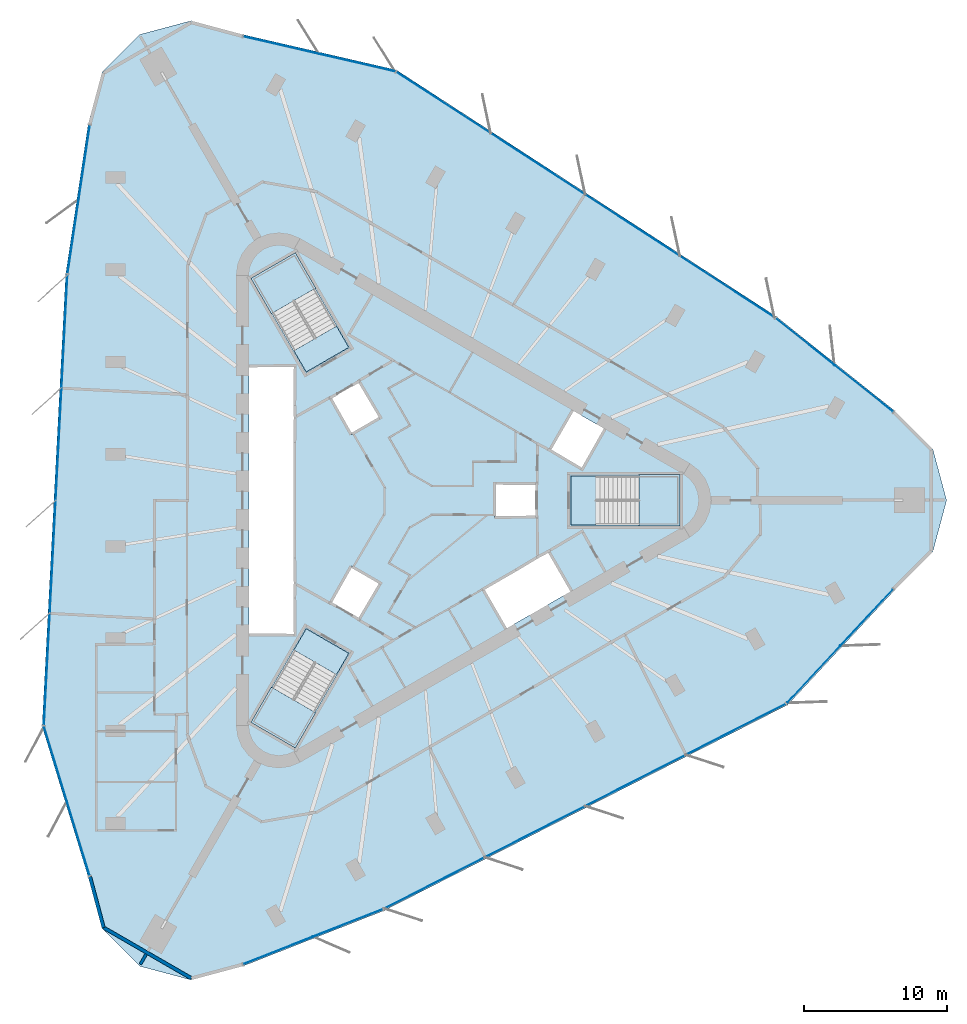
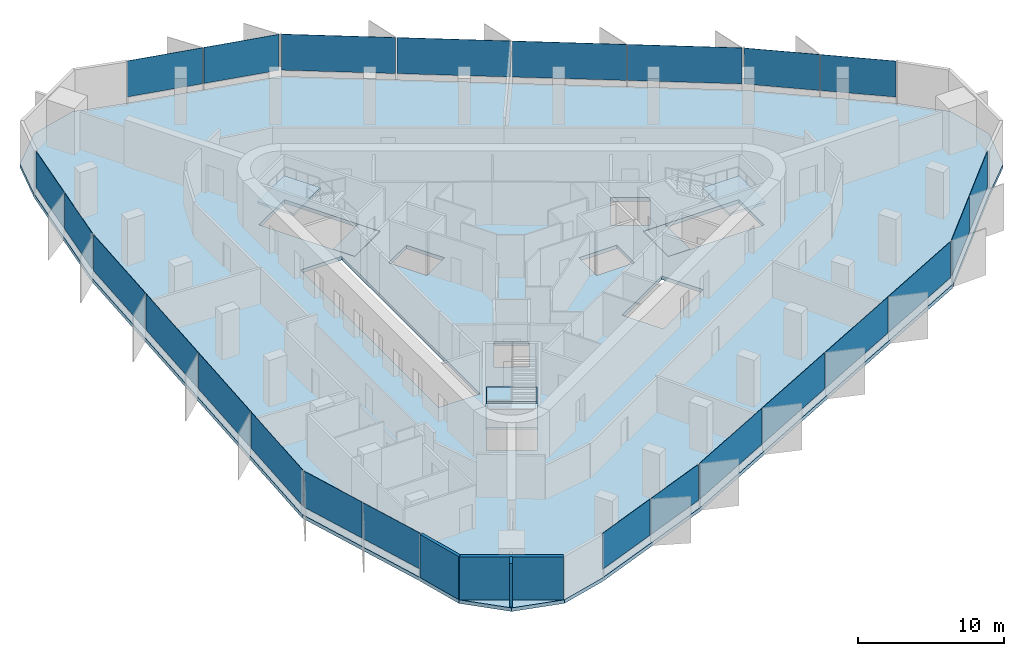
# One storey, part 7 of 13: 24 plates, 7 slabs, 3 walls, 12 elements without a shape of their own.
"""IFC4 building model written with IfcOpenShell, lengths in metres."""

import ifcopenshell
import ifcopenshell.guid

model = None  # the IFC model being written
_history = None  # IfcOwnerHistory: only IFC2X3 demands one
_inside = {}  # id of a spatial element -> (the spatial element, [elements in it])
_under = {}  # id of a project, library or spatial element -> (it, [spatial elements below it])
_declared = {}  # id of a project -> (the project, [libraries it declares])
_typed = {}  # id of a type object -> (the type object, [elements of that type])
_made_of = {}  # id of a material, layer set ... -> (it, [elements and type objects made of it])


def new_model(schema):
    """Start an empty IFC model of exactly this schema.

    Asked for "IFC4X3", IfcOpenShell would pick the latest addendum, in which some entities
    have other attributes; the version numbers below select the first issue.
    IFC2X3 requires an IfcOwnerHistory on every rooted entity: one is made here for all.
    """
    global model, _history
    if schema == "IFC4X3":
        model = ifcopenshell.file(schema_version=(4, 3, 0, 0))
    else:
        model = ifcopenshell.file(schema=schema)
    _inside.clear()
    _under.clear()
    _declared.clear()
    _typed.clear()
    _made_of.clear()
    _history = None
    if model.schema == "IFC2X3":
        org = make("IfcOrganization", Name="unknown")
        user = make(
            "IfcPersonAndOrganization",
            ThePerson=make("IfcPerson", FamilyName="unknown"),
            TheOrganization=org,
        )
        app = make(
            "IfcApplication",
            ApplicationDeveloper=org,
            Version="unknown",
            ApplicationFullName="unknown",
            ApplicationIdentifier="unknown",
        )
        _history = make(
            "IfcOwnerHistory",
            OwningUser=user,
            OwningApplication=app,
            ChangeAction="ADDED",
            CreationDate=0,
        )
    return model


def make(cls, **values):
    """One entity of the class cls with the attributes given. An attribute that is None is left unset."""
    return model.create_entity(
        cls, **{name: value for name, value in values.items() if value is not None}
    )


def rooted(cls, **values):
    """An entity with a GlobalId (a new one), such as an element, a storey or a relation."""
    return make(cls, GlobalId=ifcopenshell.guid.new(), OwnerHistory=_history, **values)


def si_unit(unit_type, name, prefix=None):
    """IfcSIUnit, for example si_unit("LENGTHUNIT", "METRE", prefix="MILLI")."""
    return make("IfcSIUnit", UnitType=unit_type, Prefix=prefix, Name=name)


def assignment(units):
    """IfcUnitAssignment: the units of a project."""
    return None if units is None else make("IfcUnitAssignment", Units=units)


def point(xyz):
    """IfcCartesianPoint."""
    return None if xyz is None else make("IfcCartesianPoint", Coordinates=xyz)


def direction(xyz):
    """IfcDirection."""
    return None if xyz is None else make("IfcDirection", DirectionRatios=xyz)


def frame(location, z_axis=None, x_axis=None):
    """IfcAxis2Placement3D, a coordinate frame: its origin and axes. An axis left out is left unset."""
    return make(
        "IfcAxis2Placement3D",
        Location=point(location),
        Axis=direction(z_axis),
        RefDirection=direction(x_axis),
    )


def frame_2d(location, x_axis=None):
    """IfcAxis2Placement2D, a coordinate frame in the plane: its origin and x axis."""
    return make(
        "IfcAxis2Placement2D", Location=point(location), RefDirection=direction(x_axis)
    )


def origin():
    """The frame at (0, 0, 0) with its axes left unset."""
    return frame((0.0, 0.0, 0.0))


def origin_2d():
    """The frame at (0, 0) in the plane with its x axis left unset."""
    return frame_2d((0.0, 0.0))


def place(relative_to, where):
    """IfcLocalPlacement: puts the frame where relative to a parent placement (None: the world)."""
    return make(
        "IfcLocalPlacement", PlacementRelTo=relative_to, RelativePlacement=where
    )


def context(
    kind, dimensions, precision=None, world=None, true_north=None, identifier=None
):
    """IfcGeometricRepresentationContext, for example the 3D "Model" context."""
    return make(
        "IfcGeometricRepresentationContext",
        ContextIdentifier=identifier,
        ContextType=kind,
        CoordinateSpaceDimension=dimensions,
        Precision=precision,
        WorldCoordinateSystem=world,
        TrueNorth=true_north,
    )


def subcontext(parent, identifier, kind, view, scale=None):
    """IfcGeometricRepresentationSubContext, for example "Body" below "Model"."""
    return make(
        "IfcGeometricRepresentationSubContext",
        ContextIdentifier=identifier,
        ContextType=kind,
        ParentContext=parent,
        TargetScale=scale,
        TargetView=view,
    )


def project(units=None, contexts=None):
    """IfcProject with its units and contexts."""
    return rooted(
        "IfcProject",
        Name="project",
        RepresentationContexts=contexts,
        UnitsInContext=assignment(units),
    )


def spatial(cls, under=None, at=None, **own):
    """A site, building, storey or space (cls), placed at a placement, below another one or the project."""
    s = rooted(cls, ObjectPlacement=at, **own)
    if under is not None:
        _under.setdefault(under.id(), (under, []))[1].append(s)
    return s


def polyline(points):
    """IfcPolyline through the points."""
    return make("IfcPolyline", Points=[point(p) for p in points])


def profile(cls, at=None, kind="AREA", **sizes):
    """A parametric profile (cls). Its sizes go by their IFC names, for example OverallWidth=200.0."""
    return make(cls, ProfileType=kind, Position=at, **sizes)


def rectangle(**sizes):
    """IfcRectangleProfileDef."""
    return profile("IfcRectangleProfileDef", **sizes)


def outline(outer, holes=None, kind="AREA"):
    """IfcArbitraryClosedProfileDef: a profile drawn as a closed curve; with holes, ...WithVoids."""
    if holes is None:
        return make("IfcArbitraryClosedProfileDef", ProfileType=kind, OuterCurve=outer)
    return make(
        "IfcArbitraryProfileDefWithVoids",
        ProfileType=kind,
        OuterCurve=outer,
        InnerCurves=holes,
    )


def extrude(swept, where, along, depth):
    """IfcExtrudedAreaSolid: the profile swept, set in the frame where, extruded along a direction by depth."""
    return make(
        "IfcExtrudedAreaSolid",
        SweptArea=swept,
        Position=where,
        ExtrudedDirection=direction(along),
        Depth=depth,
    )


def shape(context_of_items, identifier, shape_type, items):
    """IfcShapeRepresentation: the items that make up one representation, for example the "Body"."""
    return make(
        "IfcShapeRepresentation",
        ContextOfItems=context_of_items,
        RepresentationIdentifier=identifier,
        RepresentationType=shape_type,
        Items=items,
    )


def material(Name=None, Category=None):
    """IfcMaterial."""
    return make("IfcMaterial", Name=Name, Category=Category)


def layer(
    of_material, thickness, ventilated=None, Name=None, Category=None, Priority=None
):
    """IfcMaterialLayer: one layer of a wall or slab, of a material (None: an air gap)."""
    return make(
        "IfcMaterialLayer",
        Material=of_material,
        LayerThickness=thickness,
        IsVentilated=ventilated,
        Name=Name,
        Category=Category,
        Priority=Priority,
    )


def layer_set(layers, Name=None):
    """IfcMaterialLayerSet."""
    return make("IfcMaterialLayerSet", MaterialLayers=layers, LayerSetName=Name)


def made_of(thing, what):
    """Note that an element or type object is made of a material, layer set ...; save() writes the relation."""
    if what is not None:
        _made_of.setdefault(what.id(), (what, []))[1].append(thing)
    return thing


def type_object(cls, material=None, **own):
    """A type object (cls), such as IfcWallType, which elements share."""
    return made_of(rooted(cls, **own), material)


def element(
    cls,
    number,
    at=None,
    inside=None,
    cuts=None,
    type_object=None,
    material=None,
    context=None,
    identifier="Body",
    shape_type=None,
    held_by="IfcProductDefinitionShape",
    body=None,
    shapes=None,
    **own,
):
    """One element of the class cls, such as IfcWall. Its Tag is "e" and its number.

    at: its placement. inside: the storey or other place that contains it. cuts: it is an
    opening in that element (IfcRelVoidsElement). A single representation is given by context,
    identifier, shape_type and body (its items); several are given by shapes. held_by: the class
    of the entity that holds the representations. save() writes the other relations.
    """
    e = rooted(cls, Tag="e%d" % number, ObjectPlacement=at, **own)
    if body is not None:
        shapes = [shape(context, identifier, shape_type, body)]
    if shapes is not None:
        e.Representation = make(held_by, Representations=shapes)
    if inside is not None:
        _inside.setdefault(inside.id(), (inside, []))[1].append(e)
    if cuts is not None:
        rooted(
            "IfcRelVoidsElement", RelatingBuildingElement=cuts, RelatedOpeningElement=e
        )
    if type_object is not None:
        _typed.setdefault(type_object.id(), (type_object, []))[1].append(e)
    return made_of(e, material)


def aggregate(whole, parts):
    """IfcRelAggregates: a whole, such as a stair, and the parts it consists of."""
    return rooted("IfcRelAggregates", RelatingObject=whole, RelatedObjects=parts)


def save(model, path):
    """Write the relations noted so far, then the file.

    IfcRelAggregates (storeys below a building ...), IfcRelContainedInSpatialStructure (elements
    in a storey), IfcRelDefinesByType, IfcRelAssociatesMaterial and IfcRelDeclares: one each for
    every whole, place, type object, material and project.
    """
    for whole, parts in _under.values():
        aggregate(whole, parts)
    for where, things in _inside.values():
        rooted(
            "IfcRelContainedInSpatialStructure",
            RelatedElements=things,
            RelatingStructure=where,
        )
    for kind, things in _typed.values():
        rooted("IfcRelDefinesByType", RelatedObjects=things, RelatingType=kind)
    for what, things in _made_of.values():
        rooted("IfcRelAssociatesMaterial", RelatedObjects=things, RelatingMaterial=what)
    for by, libraries in _declared.values():
        rooted("IfcRelDeclares", RelatingContext=by, RelatedDefinitions=libraries)
    model.write(path)


model = new_model("IFC4")

# Units and contexts
model_context = context("Model", 3, precision=1e-05, world=origin(), true_north=direction((0.0, 1.0)))
body_context = subcontext(model_context, "Body", "Model", "MODEL_VIEW")
ifc_project = project(units=[si_unit("LENGTHUNIT", "METRE"), si_unit("AREAUNIT", "SQUARE_METRE"), si_unit("VOLUMEUNIT", "CUBIC_METRE"), si_unit("PLANEANGLEUNIT", "RADIAN"), si_unit("MASSUNIT", "GRAM", prefix="KILO")], contexts=[model_context])

# Site, building, storey
site_placement = place(None, origin())
site = spatial("IfcSite", under=ifc_project, at=site_placement, CompositionType="ELEMENT")
building_placement = place(site_placement, origin())
building = spatial("IfcBuilding", under=site, at=building_placement, Name="Tanit Gate Tower", CompositionType="ELEMENT")
storey_placement = place(building_placement, frame((0.0, 0.0, 310.39990234375)))
storey = spatial("IfcBuildingStorey", under=building, at=storey_placement, Name="L69", CompositionType="ELEMENT", Elevation=310.39990234375)

# Slab
ifc_material_1 = material(Name="Concrete C35/45", Category="concrete")
ifc_layer_1 = layer(ifc_material_1, 0.300048828125)
ifc_layer_set_1 = layer_set([ifc_layer_1], Name="FLOOR SLAB 300 C35/45")
slab_type_1 = type_object("IfcSlabType", Name="FLOOR SLAB 300 C35/45", PredefinedType="FLOOR", material=ifc_layer_set_1)
slab_1_placement = place(storey_placement, frame((0.0, 0.0, -0.2998046875)))
element("IfcSlab", 1, at=slab_1_placement, inside=storey, type_object=slab_type_1, Name="FLOOR SLAB L69", PredefinedType="FLOOR", context=body_context, shape_type="SweptSolid", body=[
    extrude(outline(polyline([(34.07470703125, 6.24951171875), (36.716064453125, 3.608154296875), (37.682861328125, 0.0), (36.716064453125, -3.608154296875), (34.07470703125, -6.24951171875), (26.550048828125, -14.32421875), (-1.6943359375, -28.727294921875), (-11.625244140625, -32.63427734375), (-15.2333984375, -33.60107421875), (-18.84130859375, -32.63427734375), (-21.48291015625, -29.992919921875), (-22.44970703125, -26.385009765625), (-25.68017578125, -15.830810546875), (-24.031494140625, 15.830810546875), (-22.44970703125, 26.385009765625), (-21.48291015625, 29.992919921875), (-18.84130859375, 32.63427734375), (-15.2333984375, 33.60107421875), (-11.625244140625, 32.63427734375), (-0.869873046875, 30.1552734375), (25.7255859375, 12.896484375), (34.07470703125, 6.24951171875)]), holes=[polyline([(11.3701171875, 1.72998046875), (18.929931640625, 1.72998046875), (18.929931640625, -1.72998046875), (11.3701171875, -1.72998046875), (11.3701171875, 1.72998046875)]), polyline([(12.158935546875, 2.159912109375), (9.82080078125, 3.510009765625), (11.44580078125, 6.324462890625), (13.783935546875, 4.974609375), (12.158935546875, 2.159912109375)]), polyline([(11.44580078125, -6.324462890625), (6.76904296875, -9.0244140625), (5.14404296875, -6.2099609375), (9.82080078125, -3.510009765625), (11.44580078125, -6.324462890625)]), polyline([(6.0, 1.199951171875), (9.0, 1.199951171875), (9.0, -1.199951171875), (6.0, -1.199951171875), (6.0, 1.199951171875)]), polyline([(-4.039306640625, 4.59619140625), (-5.539306640625, 7.194091796875), (-3.460693359375, 8.394287109375), (-1.960693359375, 5.796142578125), (-4.039306640625, 4.59619140625)]), polyline([(-1.960693359375, -5.796142578125), (-3.460693359375, -8.394287109375), (-5.539306640625, -7.194091796875), (-4.039306640625, -4.59619140625), (-1.960693359375, -5.796142578125)]), polyline([(-7.18310546875, 8.981689453125), (-10.963134765625, 15.52880859375), (-7.966796875, 17.2587890625), (-4.186767578125, 10.711669921875), (-7.18310546875, 8.981689453125)]), polyline([(-4.186767578125, -10.711669921875), (-7.966796875, -17.2587890625), (-10.963134765625, -15.52880859375), (-7.18310546875, -8.981689453125), (-4.186767578125, -10.711669921875)]), polyline([(-11.199951171875, -9.449951171875), (-11.199951171875, 9.449951171875), (-7.949951171875, 9.449951171875), (-7.949951171875, -9.449951171875), (-11.199951171875, -9.449951171875)])]), origin(), (0.0, 0.0, 1.0), 0.2998046875),
])

# Curtain wall, plates
ifc_material_2 = material(Name="Aluminium bronze anodised and glass", Category="aluminium")
curtain_wall_type = type_object("IfcCurtainWallType", Name="Curtain wall typical high", PredefinedType="NOTDEFINED", material=ifc_material_2)
curtain_wall_1_placement = place(storey_placement, origin())
curtain_wall_1 = element("IfcCurtainWall", 2, at=curtain_wall_1_placement, inside=storey, type_object=curtain_wall_type, Name="Curtain wall L69 NE1", PredefinedType="NOTDEFINED")
ifc_material_3 = material(Name="Glass tinted", Category="glass")
ifc_layer_2 = layer(ifc_material_3, 0.028076171875)
ifc_layer_set_2 = layer_set([ifc_layer_2], Name="Glass panel 28 typical high")
plate_type = type_object("IfcPlateType", Name="Glass panel 28 typical high", PredefinedType="CURTAIN_PANEL", material=ifc_layer_set_2)
plate_1_placement = place(storey_placement, frame((31.894287109375, 7.83203125, 0.60009765625), z_axis=(0.0, 0.0, 1.0), x_axis=(-0.782343945966, 0.622846650637, 0.0)))
plate_1 = element("IfcPlate", 3, at=plate_1_placement, type_object=plate_type, Name="Glass panel L69 NE1.1", PredefinedType="CURTAIN_PANEL", context=body_context, shape_type="SweptSolid", body=[
    extrude(rectangle(XDim=5.209716796875, YDim=0.028076171875, at=origin_2d()), origin(), (0.0, 0.0, 1.0), 3.0),
])
plate_2_placement = place(storey_placement, frame((27.755859375, 11.126708984375, 0.60009765625), z_axis=(0.0, 0.0, 1.0), x_axis=(-0.782343945966, 0.622846650637, 0.0)))
plate_2 = element("IfcPlate", 4, at=plate_2_placement, type_object=plate_type, Name="Glass panel L69 NE1.2", PredefinedType="CURTAIN_PANEL", context=body_context, shape_type="SweptSolid", body=[
    extrude(rectangle(XDim=5.209716796875, YDim=0.028076171875, at=origin_2d()), origin(), (0.0, 0.0, 1.0), 3.0),
])
aggregate(curtain_wall_1, [plate_1, plate_2])

curtain_wall_2_placement = place(storey_placement, origin())
curtain_wall_2 = element("IfcCurtainWall", 5, at=curtain_wall_2_placement, inside=storey, type_object=curtain_wall_type, Name="Curtain wall L69 NE2", PredefinedType="NOTDEFINED")
plate_3_placement = place(storey_placement, frame((22.30859375, 14.970703125, 0.60009765625), z_axis=(0.0, 0.0, 1.0), x_axis=(-0.838852134807, 0.544359344487, 0.0)))
plate_3 = element("IfcPlate", 6, at=plate_3_placement, type_object=plate_type, Name="Glass panel L69 NE2.1", PredefinedType="CURTAIN_PANEL", context=body_context, shape_type="SweptSolid", body=[
    extrude(rectangle(XDim=7.819580078125, YDim=0.028076171875, at=origin_2d()), origin(), (0.0, 0.0, 1.0), 3.0),
])
plate_4_placement = place(storey_placement, frame((15.68212890625, 19.270751953125, 0.60009765625), z_axis=(0.0, 0.0, 1.0), x_axis=(-0.838852134807, 0.544359344487, 0.0)))
plate_4 = element("IfcPlate", 7, at=plate_4_placement, type_object=plate_type, Name="Glass panel L69 NE2.2", PredefinedType="CURTAIN_PANEL", context=body_context, shape_type="SweptSolid", body=[
    extrude(rectangle(XDim=7.8193359375, YDim=0.028076171875, at=origin_2d()), origin(), (0.0, 0.0, 1.0), 3.0),
])
plate_5_placement = place(storey_placement, frame((9.0556640625, 23.571044921875, 0.60009765625), z_axis=(0.0, 0.0, 1.0), x_axis=(-0.838852134807, 0.544359344487, 0.0)))
plate_5 = element("IfcPlate", 8, at=plate_5_placement, type_object=plate_type, Name="Glass panel L69 NE2.3", PredefinedType="CURTAIN_PANEL", context=body_context, shape_type="SweptSolid", body=[
    extrude(rectangle(XDim=7.819580078125, YDim=0.028076171875, at=origin_2d()), origin(), (0.0, 0.0, 1.0), 3.0),
])
plate_6_placement = place(storey_placement, frame((2.42919921875, 27.87109375, 0.60009765625), z_axis=(0.0, 0.0, 1.0), x_axis=(-0.838852134807, 0.544359344487, 0.0)))
plate_6 = element("IfcPlate", 9, at=plate_6_placement, type_object=plate_type, Name="Glass panel L69 NE2.4", PredefinedType="CURTAIN_PANEL", context=body_context, shape_type="SweptSolid", body=[
    extrude(rectangle(XDim=7.8193359375, YDim=0.028076171875, at=origin_2d()), origin(), (0.0, 0.0, 1.0), 3.0),
])
aggregate(curtain_wall_2, [plate_3, plate_4, plate_5, plate_6])

curtain_wall_3_placement = place(storey_placement, origin())
curtain_wall_3 = element("IfcCurtainWall", 10, at=curtain_wall_3_placement, inside=storey, type_object=curtain_wall_type, Name="Curtain wall L69 NE3", PredefinedType="NOTDEFINED")
plate_7_placement = place(storey_placement, frame((-3.62109375, 30.666259765625, 0.60009765625), z_axis=(0.0, 0.0, 1.0), x_axis=(-0.974447016701, 0.224617478487, 0.0)))
plate_7 = element("IfcPlate", 11, at=plate_7_placement, type_object=plate_type, Name="Glass panel L69 NE3.1", PredefinedType="CURTAIN_PANEL", context=body_context, shape_type="SweptSolid", body=[
    extrude(rectangle(XDim=5.38916015625, YDim=0.028076171875, at=origin_2d()), origin(), (0.0, 0.0, 1.0), 3.0),
])
plate_8_placement = place(storey_placement, frame((-8.95068359375, 31.894775390625, 0.60009765625), z_axis=(0.0, 0.0, 1.0), x_axis=(-0.974447016701, 0.224617478487, 0.0)))
plate_8 = element("IfcPlate", 12, at=plate_8_placement, type_object=plate_type, Name="Glass panel L69 NE3.2", PredefinedType="CURTAIN_PANEL", context=body_context, shape_type="SweptSolid", body=[
    extrude(rectangle(XDim=5.38916015625, YDim=0.028076171875, at=origin_2d()), origin(), (0.0, 0.0, 1.0), 3.0),
])
aggregate(curtain_wall_3, [plate_7, plate_8])

curtain_wall_4_placement = place(storey_placement, origin())
curtain_wall_4 = element("IfcCurtainWall", 13, at=curtain_wall_4_placement, inside=storey, type_object=curtain_wall_type, Name="Curtain wall L69 W1", PredefinedType="NOTDEFINED")
plate_9_placement = place(storey_placement, frame((-22.729736328125, 23.705322265625, 0.60009765625), z_axis=(0.0, 0.0, 1.0), x_axis=(-0.148229049131, -0.988953057022, 0.0)))
plate_9 = element("IfcPlate", 14, at=plate_9_placement, type_object=plate_type, Name="Glass panel L69 W1.1", PredefinedType="CURTAIN_PANEL", context=body_context, shape_type="SweptSolid", body=[
    extrude(rectangle(XDim=5.209716796875, YDim=0.028076171875, at=origin_2d()), origin(), (0.0, 0.0, 1.0), 3.0),
])
plate_10_placement = place(storey_placement, frame((-23.513916015625, 18.47412109375, 0.60009765625), z_axis=(0.0, 0.0, 1.0), x_axis=(-0.148229049131, -0.988953057022, 0.0)))
plate_10 = element("IfcPlate", 15, at=plate_10_placement, type_object=plate_type, Name="Glass panel L69 W1.2", PredefinedType="CURTAIN_PANEL", context=body_context, shape_type="SweptSolid", body=[
    extrude(rectangle(XDim=5.209716796875, YDim=0.028076171875, at=origin_2d()), origin(), (0.0, 0.0, 1.0), 3.0),
])
aggregate(curtain_wall_4, [plate_9, plate_10])

curtain_wall_5_placement = place(storey_placement, origin())
curtain_wall_5 = element("IfcCurtainWall", 16, at=curtain_wall_5_placement, inside=storey, type_object=curtain_wall_type, Name="Curtain wall L69 W2", PredefinedType="NOTDEFINED")
plate_11_placement = place(storey_placement, frame((-24.119384765625, 11.83447265625, 0.60009765625), z_axis=(0.0, 0.0, 1.0), x_axis=(-0.05200295371, -0.998646931005, 0.0)))
plate_11 = element("IfcPlate", 17, at=plate_11_placement, type_object=plate_type, Name="Glass panel L69 W2.1", PredefinedType="CURTAIN_PANEL", context=body_context, shape_type="SweptSolid", body=[
    extrude(rectangle(XDim=7.819580078125, YDim=0.028076171875, at=origin_2d()), origin(), (0.0, 0.0, 1.0), 3.0),
])
plate_12_placement = place(storey_placement, frame((-24.5302734375, 3.94580078125, 0.60009765625), z_axis=(0.0, 0.0, 1.0), x_axis=(-0.05200295371, -0.998646931005, 0.0)))
plate_12 = element("IfcPlate", 18, at=plate_12_placement, type_object=plate_type, Name="Glass panel L69 W2.2", PredefinedType="CURTAIN_PANEL", context=body_context, shape_type="SweptSolid", body=[
    extrude(rectangle(XDim=7.8193359375, YDim=0.028076171875, at=origin_2d()), origin(), (0.0, 0.0, 1.0), 3.0),
])
plate_13_placement = place(storey_placement, frame((-24.94091796875, -3.94287109375, 0.60009765625), z_axis=(0.0, 0.0, 1.0), x_axis=(-0.05200295371, -0.998646931005, 0.0)))
plate_13 = element("IfcPlate", 19, at=plate_13_placement, type_object=plate_type, Name="Glass panel L69 W2.3", PredefinedType="CURTAIN_PANEL", context=body_context, shape_type="SweptSolid", body=[
    extrude(rectangle(XDim=7.819580078125, YDim=0.028076171875, at=origin_2d()), origin(), (0.0, 0.0, 1.0), 3.0),
])
plate_14_placement = place(storey_placement, frame((-25.351806640625, -11.831787109375, 0.60009765625), z_axis=(0.0, 0.0, 1.0), x_axis=(-0.05200295371, -0.998646931005, 0.0)))
plate_14 = element("IfcPlate", 20, at=plate_14_placement, type_object=plate_type, Name="Glass panel L69 W2.4", PredefinedType="CURTAIN_PANEL", context=body_context, shape_type="SweptSolid", body=[
    extrude(rectangle(XDim=7.8193359375, YDim=0.028076171875, at=origin_2d()), origin(), (0.0, 0.0, 1.0), 3.0),
])
aggregate(curtain_wall_5, [plate_11, plate_12, plate_13, plate_14])

curtain_wall_6_placement = place(storey_placement, origin())
curtain_wall_6 = element("IfcCurtainWall", 21, at=curtain_wall_6_placement, inside=storey, type_object=curtain_wall_type, Name="Curtain wall L69 W3", PredefinedType="NOTDEFINED")
plate_15_placement = place(storey_placement, frame((-24.7470703125, -18.46923828125, 0.60009765625), z_axis=(0.0, 0.0, 1.0), x_axis=(0.292699065847, -0.956204610349, 0.0)))
plate_15 = element("IfcPlate", 22, at=plate_15_placement, type_object=plate_type, Name="Glass panel L69 W3.1", PredefinedType="CURTAIN_PANEL", context=body_context, shape_type="SweptSolid", body=[
    extrude(rectangle(XDim=5.38916015625, YDim=0.028076171875, at=origin_2d()), origin(), (0.0, 0.0, 1.0), 3.0),
])
plate_16_placement = place(storey_placement, frame((-23.146240234375, -23.69873046875, 0.60009765625), z_axis=(0.0, 0.0, 1.0), x_axis=(0.292699065847, -0.956204610349, 0.0)))
plate_16 = element("IfcPlate", 23, at=plate_16_placement, type_object=plate_type, Name="Glass panel L69 W3.2", PredefinedType="CURTAIN_PANEL", context=body_context, shape_type="SweptSolid", body=[
    extrude(rectangle(XDim=5.38916015625, YDim=0.028076171875, at=origin_2d()), origin(), (0.0, 0.0, 1.0), 3.0),
])
aggregate(curtain_wall_6, [plate_15, plate_16])

curtain_wall_7_placement = place(storey_placement, origin())
curtain_wall_7 = element("IfcCurtainWall", 24, at=curtain_wall_7_placement, inside=storey, type_object=curtain_wall_type, Name="Curtain wall L69 SE1", PredefinedType="NOTDEFINED")
plate_17_placement = place(storey_placement, frame((-9.16455078125, -31.537353515625, 0.60009765625), z_axis=(0.0, 0.0, 1.0), x_axis=(0.930572995097, 0.366106406385, 0.0)))
plate_17 = element("IfcPlate", 25, at=plate_17_placement, type_object=plate_type, Name="Glass panel L69 SE1.1", PredefinedType="CURTAIN_PANEL", context=body_context, shape_type="SweptSolid", body=[
    extrude(rectangle(XDim=5.209716796875, YDim=0.028076171875, at=origin_2d()), origin(), (0.0, 0.0, 1.0), 3.0),
])
plate_18_placement = place(storey_placement, frame((-4.241943359375, -29.6005859375, 0.60009765625), z_axis=(0.0, 0.0, 1.0), x_axis=(0.930572995097, 0.366106406385, 0.0)))
plate_18 = element("IfcPlate", 26, at=plate_18_placement, type_object=plate_type, Name="Glass panel L69 SE1.2", PredefinedType="CURTAIN_PANEL", context=body_context, shape_type="SweptSolid", body=[
    extrude(rectangle(XDim=5.209716796875, YDim=0.028076171875, at=origin_2d()), origin(), (0.0, 0.0, 1.0), 3.0),
])
aggregate(curtain_wall_7, [plate_17, plate_18])

curtain_wall_8_placement = place(storey_placement, origin())
curtain_wall_8 = element("IfcCurtainWall", 27, at=curtain_wall_8_placement, inside=storey, type_object=curtain_wall_type, Name="Curtain wall L69 SE2", PredefinedType="NOTDEFINED")
plate_19_placement = place(storey_placement, frame((1.810791015625, -26.80517578125, 0.60009765625), z_axis=(0.0, 0.0, 1.0), x_axis=(0.890855088516, 0.454287586518, 0.0)))
plate_19 = element("IfcPlate", 28, at=plate_19_placement, type_object=plate_type, Name="Glass panel L69 SE2.1", PredefinedType="CURTAIN_PANEL", context=body_context, shape_type="SweptSolid", body=[
    extrude(rectangle(XDim=7.819580078125, YDim=0.028076171875, at=origin_2d()), origin(), (0.0, 0.0, 1.0), 3.0),
])
plate_20_placement = place(storey_placement, frame((8.847900390625, -23.216552734375, 0.60009765625), z_axis=(0.0, 0.0, 1.0), x_axis=(0.890855088516, 0.454287586518, 0.0)))
plate_20 = element("IfcPlate", 29, at=plate_20_placement, type_object=plate_type, Name="Glass panel L69 SE2.2", PredefinedType="CURTAIN_PANEL", context=body_context, shape_type="SweptSolid", body=[
    extrude(rectangle(XDim=7.8193359375, YDim=0.028076171875, at=origin_2d()), origin(), (0.0, 0.0, 1.0), 3.0),
])
plate_21_placement = place(storey_placement, frame((15.88525390625, -19.6279296875, 0.60009765625), z_axis=(0.0, 0.0, 1.0), x_axis=(0.890855088516, 0.454287586518, 0.0)))
plate_21 = element("IfcPlate", 30, at=plate_21_placement, type_object=plate_type, Name="Glass panel L69 SE2.3", PredefinedType="CURTAIN_PANEL", context=body_context, shape_type="SweptSolid", body=[
    extrude(rectangle(XDim=7.819580078125, YDim=0.028076171875, at=origin_2d()), origin(), (0.0, 0.0, 1.0), 3.0),
])
plate_22_placement = place(storey_placement, frame((22.92236328125, -16.039306640625, 0.60009765625), z_axis=(0.0, 0.0, 1.0), x_axis=(0.890855088516, 0.454287586518, 0.0)))
plate_22 = element("IfcPlate", 31, at=plate_22_placement, type_object=plate_type, Name="Glass panel L69 SE2.4", PredefinedType="CURTAIN_PANEL", context=body_context, shape_type="SweptSolid", body=[
    extrude(rectangle(XDim=7.8193359375, YDim=0.028076171875, at=origin_2d()), origin(), (0.0, 0.0, 1.0), 3.0),
])
aggregate(curtain_wall_8, [plate_19, plate_20, plate_21, plate_22])

curtain_wall_9_placement = place(storey_placement, origin())
curtain_wall_9 = element("IfcCurtainWall", 32, at=curtain_wall_9_placement, inside=storey, type_object=curtain_wall_type, Name="Curtain wall L69 SE3", PredefinedType="NOTDEFINED")
plate_23_placement = place(storey_placement, frame((28.368408203125, -12.197021484375, 0.60009765625), z_axis=(0.0, 0.0, 1.0), x_axis=(0.681747950854, 0.731587131862, 0.0)))
plate_23 = element("IfcPlate", 33, at=plate_23_placement, type_object=plate_type, Name="Glass panel L69 SE3.1", PredefinedType="CURTAIN_PANEL", context=body_context, shape_type="SweptSolid", body=[
    extrude(rectangle(XDim=5.38916015625, YDim=0.028076171875, at=origin_2d()), origin(), (0.0, 0.0, 1.0), 3.0),
])
plate_24_placement = place(storey_placement, frame((32.096923828125, -8.19580078125, 0.60009765625), z_axis=(0.0, 0.0, 1.0), x_axis=(0.681747950854, 0.731587131862, 0.0)))
plate_24 = element("IfcPlate", 34, at=plate_24_placement, type_object=plate_type, Name="Glass panel L69 SE3.2", PredefinedType="CURTAIN_PANEL", context=body_context, shape_type="SweptSolid", body=[
    extrude(rectangle(XDim=5.38916015625, YDim=0.028076171875, at=origin_2d()), origin(), (0.0, 0.0, 1.0), 3.0),
])
aggregate(curtain_wall_9, [plate_23, plate_24])

# Stair, slab
ifc_material_4 = material(Name="Concrete C40/50", Category="concrete")
stair_type = type_object("IfcStairType", Name="INT-STAIR-EXIT", PredefinedType="HALF_TURN_STAIR", material=ifc_material_4)
stair_1_placement = place(storey_placement, origin())
stair_1 = element("IfcStair", 35, at=stair_1_placement, inside=storey, type_object=stair_type, Name="L69 STAIR S1", PredefinedType="HALF_TURN_STAIR")
ifc_material_5 = material(Name="Concrete C40/50", Category="concrete")
ifc_layer_3 = layer(ifc_material_5, 0.199951171875)
ifc_layer_set_3 = layer_set([ifc_layer_3], Name="INT-STAIR-LANDING")
slab_type_2 = type_object("IfcSlabType", Name="INT-STAIR-LANDING", PredefinedType="LANDING", material=ifc_layer_set_3)
slab_2_placement = place(storey_placement, frame((0.0, 0.0, 1.75)))
slab_2 = element("IfcSlab", 36, at=slab_2_placement, type_object=slab_type_2, Name="S1 landing 1", PredefinedType="LANDING", context=body_context, shape_type="SweptSolid", body=[
    extrude(outline(polyline([(16.135986328125, -1.800048828125), (19.0, -1.800048828125), (19.0, 1.800048828125), (16.135986328125, 1.800048828125), (16.135986328125, -1.800048828125)])), origin(), (0.0, 0.0, 1.0), 0.2001953125),
])
aggregate(stair_1, [slab_2])

# Slab
slab_3_placement = place(storey_placement, frame((0.0, 0.0, -0.199951171875)))
element("IfcSlab", 37, at=slab_3_placement, inside=storey, type_object=slab_type_2, Name="S1 floor landing", PredefinedType="LANDING", context=body_context, shape_type="SweptSolid", body=[
    extrude(outline(polyline([(11.3798828125, -1.719970703125), (13.10498046875, -1.719970703125), (13.10498046875, 1.719970703125), (11.3798828125, 1.719970703125), (11.3798828125, -1.719970703125)])), origin(), (0.0, 0.0, 1.0), 0.199951171875),
])

# Stair, slab
stair_2_placement = place(storey_placement, origin())
stair_2 = element("IfcStair", 38, at=stair_2_placement, inside=storey, type_object=stair_type, Name="L69 STAIR S2", PredefinedType="HALF_TURN_STAIR")
slab_4_placement = place(storey_placement, frame((0.0, 0.0, 1.75)))
slab_4 = element("IfcSlab", 39, at=slab_4_placement, type_object=slab_type_2, Name="S2 landing 1", PredefinedType="LANDING", context=body_context, shape_type="SweptSolid", body=[
    extrude(outline(polyline([(-6.5078125, 14.871826171875), (-7.941162109375, 17.3544921875), (-11.058837890625, 15.554443359375), (-9.62548828125, 13.07177734375), (-6.5078125, 14.871826171875)])), origin(), (0.0, 0.0, 1.0), 0.2001953125),
])
aggregate(stair_2, [slab_4])

# Slab
slab_5_placement = place(storey_placement, frame((0.0, 0.0, -0.199951171875)))
element("IfcSlab", 40, at=slab_5_placement, inside=storey, type_object=slab_type_2, Name="S2 floor landing", PredefinedType="LANDING", context=body_context, shape_type="SweptSolid", body=[
    extrude(outline(polyline([(-4.200439453125, 10.71533203125), (-5.0625, 12.20849609375), (-8.04150390625, 10.48828125), (-7.179443359375, 8.995361328125), (-4.200439453125, 10.71533203125)])), origin(), (0.0, 0.0, 1.0), 0.199951171875),
])

# Stair, slab
stair_3_placement = place(storey_placement, origin())
stair_3 = element("IfcStair", 41, at=stair_3_placement, inside=storey, type_object=stair_type, Name="L69 STAIR S3", PredefinedType="HALF_TURN_STAIR")
slab_6_placement = place(storey_placement, frame((0.0, 0.0, 1.75)))
slab_6 = element("IfcSlab", 42, at=slab_6_placement, type_object=slab_type_2, Name="S3 landing 1", PredefinedType="LANDING", context=body_context, shape_type="SweptSolid", body=[
    extrude(outline(polyline([(-9.626953125, -13.07421875), (-11.058837890625, -15.554443359375), (-7.941162109375, -17.3544921875), (-6.509033203125, -14.874267578125), (-9.626953125, -13.07421875)])), origin(), (0.0, 0.0, 1.0), 0.2001953125),
])
aggregate(stair_3, [slab_6])

# Slab
slab_7_placement = place(storey_placement, frame((0.0, 0.0, -0.199951171875)))
element("IfcSlab", 43, at=slab_7_placement, inside=storey, type_object=slab_type_2, Name="S3 floor landing", PredefinedType="LANDING", context=body_context, shape_type="SweptSolid", body=[
    extrude(outline(polyline([(-7.179443359375, -8.995361328125), (-8.0419921875, -10.4892578125), (-5.06298828125, -12.209228515625), (-4.200439453125, -10.71533203125), (-7.179443359375, -8.995361328125)])), origin(), (0.0, 0.0, 1.0), 0.199951171875),
])

# Walls
ifc_material_6 = material(Name="Concrete C30/37 with bronze anodised aluminium cladding", Category="concrete")
ifc_layer_4 = layer(ifc_material_6, 0.239990234375)
ifc_layer_set_4 = layer_set([ifc_layer_4], Name="Facade wall bronze clad 240")
wall_type_1 = type_object("IfcWallType", Name="Facade wall bronze clad 240", PredefinedType="SOLIDWALL", material=ifc_layer_set_4)
wall_1_placement = place(storey_placement, frame((-22.334228515625, -26.351806640625, 0.0), z_axis=(0.0, 0.0, 1.0), x_axis=(0.258810736071, -0.965928052649, 0.0)))
element("IfcWall", 44, at=wall_1_placement, inside=storey, type_object=wall_type_1, Name="Bronze-clad facade wall L69 SW.arc1", PredefinedType="SOLIDWALL", context=body_context, shape_type="SweptSolid", body=[
    extrude(rectangle(XDim=3.705322265625, YDim=0.239990234375, at=frame_2d((1.8525390625, 0.0))), origin(), (0.0, 0.0, 1.0), 3.60009765625),
])
wall_2_placement = place(storey_placement, frame((-21.375244140625, -29.930908203125, 0.0), z_axis=(0.0, 0.0, 1.0), x_axis=(0.866031377081, -0.499989653803, 0.0)))
element("IfcWall", 45, at=wall_2_placement, inside=storey, type_object=wall_type_1, Name="Bronze-clad facade wall L69 SW.arc2", PredefinedType="SOLIDWALL", context=body_context, shape_type="SweptSolid", body=[
    extrude(rectangle(XDim=7.092041015625, YDim=0.239990234375, at=frame_2d((3.5458984375, 0.0))), origin(), (0.0, 0.0, 1.0), 3.60009765625),
])
ifc_material_7 = material(Name="Fire-rated gypsum board partition")
ifc_layer_5 = layer(ifc_material_7, 0.199951171875)
ifc_layer_set_5 = layer_set([ifc_layer_5], Name="INT-WALL-COMPARTMENT")
wall_type_2 = type_object("IfcWallType", Name="INT-WALL-COMPARTMENT", PredefinedType="PARTITIONING", material=ifc_layer_set_5)
wall_3_placement = place(storey_placement, frame((-18.39013671875, -31.792724609375, 0.0), z_axis=(0.0, 0.0, 1.0), x_axis=(-0.499970888758, -0.866042210515, 0.0)))
element("IfcWall", 46, at=wall_3_placement, inside=storey, type_object=wall_type_2, Name="Wall Compartment W118x1", PredefinedType="PARTITIONING", context=body_context, shape_type="SweptSolid", body=[
    extrude(rectangle(XDim=0.822265625, YDim=0.199951171875, at=frame_2d((0.4111328125, 0.0))), origin(), (0.0, 0.0, 1.0), 3.60009765625),
])

save(model, "model.ifc")
